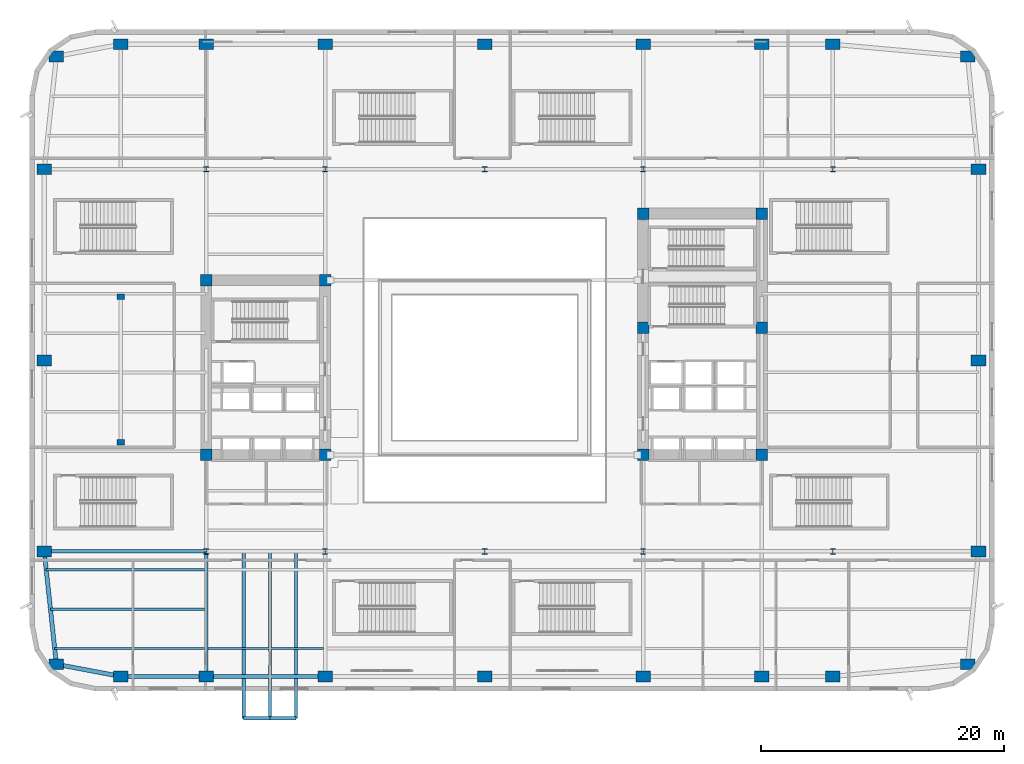
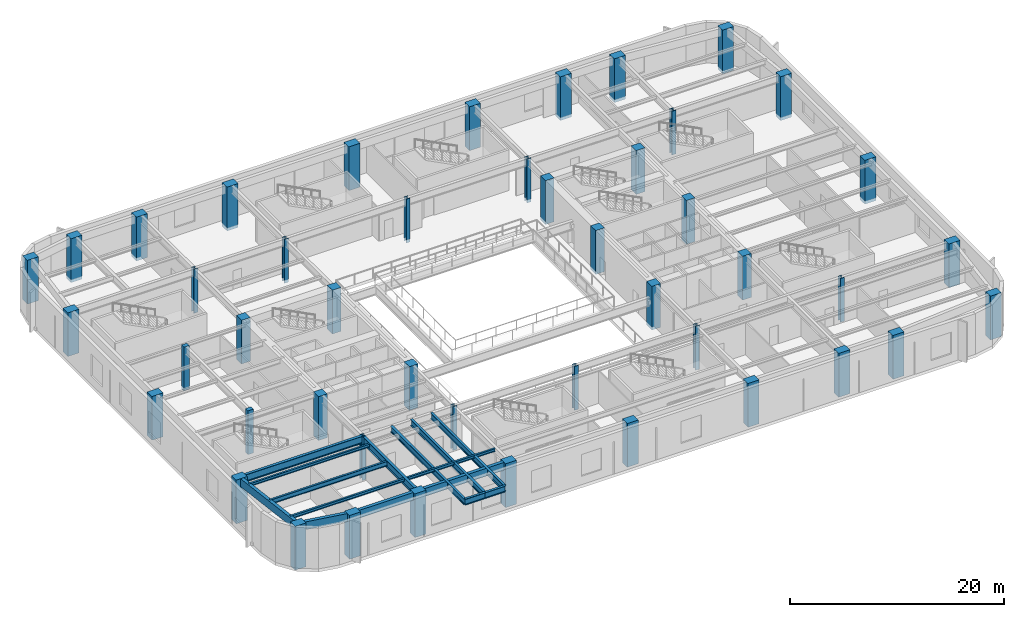
# One storey, part 1 of 24: 46 columns, 15 beams.
"""IFC4 building model written with IfcOpenShell, lengths in metres."""

from ifc_helpers import new_model, si_unit, direction, frame, origin, origin_2d, place, context, subcontext, project, spatial, rectangle, hollow_rectangle, i_section, extrude, material, material_profile, profile_set, type_object, element, save


model = new_model("IFC4")

# Units and contexts
model_context = context("Model", 3, precision=1e-05, world=origin(), true_north=direction((0.0, 1.0)))
body_context = subcontext(model_context, "Body", "Model", "MODEL_VIEW")
ifc_project = project(units=[si_unit("LENGTHUNIT", "METRE"), si_unit("AREAUNIT", "SQUARE_METRE"), si_unit("VOLUMEUNIT", "CUBIC_METRE"), si_unit("PLANEANGLEUNIT", "RADIAN"), si_unit("MASSUNIT", "GRAM", prefix="KILO")], contexts=[model_context])

# Site, building, storey
site_placement = place(None, origin())
site = spatial("IfcSite", under=ifc_project, at=site_placement, CompositionType="ELEMENT")
building_placement = place(site_placement, origin())
building = spatial("IfcBuilding", under=site, at=building_placement, Name="Kolvaren Arena Tower", CompositionType="ELEMENT")
storey_placement = place(building_placement, frame((0.0, 0.0, 23.0)))
storey = spatial("IfcBuildingStorey", under=building, at=storey_placement, Name="L04", CompositionType="ELEMENT", Elevation=23.0)

# Columns
ifc_material_1 = material(Name="Precast concrete C70/85", Category="concrete")
ifc_material_profile_1 = material_profile(ifc_material_1, rectangle(XDim=1.199951171875, YDim=0.89990234375, at=origin_2d()), Name="RC-1200x900")
ifc_profile_set_1 = profile_set([ifc_material_profile_1], Name="Precast concrete C70/85")
column_type_1 = type_object("IfcColumnType", Name="EXCOL-Z1", PredefinedType="COLUMN", material=ifc_profile_set_1)
for number, where, z_axis, x_axis, name in (
    (1, (2.199951171875, 2.199951171875, -0.35009765625), (0.0, 0.0, 1.0), (1.0, 0.0, 0.0), "Podium Perimeter Column PS-C0 (L04)"),
    (2, (7.5, 1.199951171875, -0.35009765625), (0.0, 0.0, 1.0), (1.0, 0.0, 0.0), "Podium Perimeter Column PS-01 (L04)"),
    (3, (14.550048828125, 1.199951171875, -0.35009765625), (0.0, 0.0, 1.0), (1.0, 0.0, 0.0), "Podium Perimeter Column PS-02 (L04)"),
    (4, (24.35009765625, 1.199951171875, -0.35009765625), (0.0, 0.0, 1.0), (1.0, 0.0, 0.0), "Podium Perimeter Column PS-03 (L04)"),
    (5, (37.5, 1.199951171875, -0.35009765625), (0.0, 0.0, 1.0), (1.0, 0.0, 0.0), "Podium Perimeter Column PS-04 (L04)"),
    (6, (50.550048828125, 1.199951171875, -0.35009765625), (0.0, 0.0, 1.0), (1.0, 0.0, 0.0), "Podium Perimeter Column PS-05 (L04)"),
    (7, (60.35009765625, 1.199951171875, -0.35009765625), (0.0, 0.0, 1.0), (1.0, 0.0, 0.0), "Podium Perimeter Column PS-06 (L04)"),
    (8, (66.199951171875, 1.199951171875, -0.35009765625), (0.0, 0.0, 1.0), (1.0, 0.0, 0.0), "Podium Perimeter Column PS-07 (L04)"),
    (9, (77.300048828125, 2.199951171875, -0.35009765625), (0.0, 0.0, 1.0), (1.0, 0.0, 0.0), "Podium Perimeter Column PE-C0 (L04)"),
    (10, (78.199951171875, 11.5, -0.35009765625), (0.0, 0.0, 1.0), (1.0, 0.0, 0.0), "Podium Perimeter Column PE-01 (L04)"),
    (11, (78.199951171875, 27.25, -0.35009765625), (0.0, 0.0, 1.0), (1.0, 0.0, 0.0), "Podium Perimeter Column PE-02 (L04)"),
    (12, (78.199951171875, 43.0, -0.35009765625), (0.0, 0.0, 1.0), (1.0, 0.0, 0.0), "Podium Perimeter Column PE-03 (L04)"),
    (13, (77.300048828125, 52.300048828125, -0.35009765625), (0.0, 0.0, 1.0), (1.0, 0.0, 0.0), "Podium Perimeter Column PN-C1 (L04)"),
    (14, (66.199951171875, 53.300048828125, -0.35009765625), (0.0, 0.0, 1.0), (1.0, 0.0, 0.0), "Podium Perimeter Column PN-07 (L04)"),
    (15, (60.35009765625, 53.300048828125, -0.35009765625), (0.0, 0.0, 1.0), (1.0, 0.0, 0.0), "Podium Perimeter Column PN-06 (L04)"),
    (16, (50.550048828125, 53.300048828125, -0.35009765625), (0.0, 0.0, 1.0), (1.0, 0.0, 0.0), "Podium Perimeter Column PN-05 (L04)"),
    (17, (37.5, 53.300048828125, -0.35009765625), (0.0, 0.0, 1.0), (1.0, 0.0, 0.0), "Podium Perimeter Column PN-04 (L04)"),
    (18, (24.35009765625, 53.300048828125, -0.35009765625), (0.0, 0.0, 1.0), (1.0, 0.0, 0.0), "Podium Perimeter Column PN-03 (L04)"),
    (19, (14.550048828125, 53.300048828125, -0.35009765625), (0.0, 0.0, 1.0), (1.0, 0.0, 0.0), "Podium Perimeter Column PN-02 (L04)"),
    (20, (7.5, 53.300048828125, -0.35009765625), (0.0, 0.0, 1.0), (1.0, 0.0, 0.0), "Podium Perimeter Column PN-01 (L04)"),
    (21, (2.199951171875, 52.300048828125, -0.35009765625), (0.0, 0.0, 1.0), (1.0, 0.0, 0.0), "Podium Perimeter Column PN-C0 (L04)"),
    (22, (1.199951171875, 43.0, -0.35009765625), (0.0, 0.0, 1.0), (1.0, 0.0, 0.0), "Podium Perimeter Column PW-03 (L04)"),
    (23, (1.199951171875, 27.25, -0.35009765625), (0.0, 0.0, 1.0), (1.0, 0.0, 0.0), "Podium Perimeter Column PW-02 (L04)"),
    (24, (1.199951171875, 11.5, -0.35009765625), (0.0, 0.0, 1.0), (1.0, 0.0, 0.0), "Podium Perimeter Column PW-01 (L04)"),
):
    element("IfcColumn", number, at=place(storey_placement, frame(where, z_axis=z_axis, x_axis=x_axis)), inside=storey, type_object=column_type_1, Name=name, PredefinedType="COLUMN", context=body_context, shape_type="SweptSolid", body=[
        extrude(rectangle(XDim=1.199951171875, YDim=0.89990234375, at=origin_2d()), origin(), (0.0, 0.0, 1.0), 5.0),
    ])
ifc_material_2 = material(Name="Concrete 60 MPa", Category="concrete")
ifc_material_profile_2 = material_profile(ifc_material_2, rectangle(XDim=0.949951171875, YDim=0.949951171875, at=origin_2d()), Name="RC-950x950")
ifc_profile_set_2 = profile_set([ifc_material_profile_2], Name="Concrete 60 MPa")
column_type_2 = type_object("IfcColumnType", Name="PCOL-B1", PredefinedType="COLUMN", material=ifc_profile_set_2)
for number, where, z_axis, x_axis, name in (
    (25, (14.550048828125, 19.449951171875, -0.35009765625), (0.0, 0.0, 1.0), (1.0, 0.0, 0.0), "Core Boundary Column WC-SW (L04)"),
    (26, (24.35009765625, 19.449951171875, -0.35009765625), (0.0, 0.0, 1.0), (1.0, 0.0, 0.0), "Core Boundary Column WC-SE (L04)"),
    (27, (14.550048828125, 33.85009765625, -0.35009765625), (0.0, 0.0, 1.0), (1.0, 0.0, 0.0), "Core Boundary Column WC-NW (L04)"),
    (28, (24.35009765625, 33.85009765625, -0.35009765625), (0.0, 0.0, 1.0), (1.0, 0.0, 0.0), "Core Boundary Column WC-NE (L04)"),
    (29, (50.550048828125, 19.449951171875, -0.35009765625), (0.0, 0.0, 1.0), (1.0, 0.0, 0.0), "Core Boundary Column EC-SW (L04)"),
    (30, (60.35009765625, 19.449951171875, -0.35009765625), (0.0, 0.0, 1.0), (1.0, 0.0, 0.0), "Core Boundary Column EC-SE (L04)"),
    (31, (50.550048828125, 29.949951171875, -0.35009765625), (0.0, 0.0, 1.0), (1.0, 0.0, 0.0), "Core Boundary Column EC-MW (L04)"),
    (32, (60.35009765625, 29.949951171875, -0.35009765625), (0.0, 0.0, 1.0), (1.0, 0.0, 0.0), "Core Boundary Column EC-ME (L04)"),
    (33, (50.550048828125, 39.35009765625, -0.35009765625), (0.0, 0.0, 1.0), (1.0, 0.0, 0.0), "Core Boundary Column EC-NW (L04)"),
    (34, (60.35009765625, 39.35009765625, -0.35009765625), (0.0, 0.0, 1.0), (1.0, 0.0, 0.0), "Core Boundary Column EC-NE (L04)"),
):
    element("IfcColumn", number, at=place(storey_placement, frame(where, z_axis=z_axis, x_axis=x_axis)), inside=storey, type_object=column_type_2, Name=name, PredefinedType="COLUMN", context=body_context, shape_type="SweptSolid", body=[
        extrude(rectangle(XDim=0.949951171875, YDim=0.949951171875, at=origin_2d()), origin(), (0.0, 0.0, 1.0), 5.0),
    ])
ifc_material_3 = material(Name="Precast concrete C50/60", Category="concrete")
ifc_material_profile_3 = material_profile(ifc_material_3, rectangle(XDim=0.60009765625, YDim=0.449951171875, at=origin_2d()), Name="RC-600x450")
ifc_profile_set_3 = profile_set([ifc_material_profile_3], Name="Precast concrete C50/60")
column_type_3 = type_object("IfcColumnType", Name="PIL-01", PredefinedType="PILASTER", material=ifc_profile_set_3)
for number, where, z_axis, x_axis, name in (
    (35, (7.5, 20.5, -0.35009765625), (0.0, 0.0, 1.0), (1.0, 0.0, 0.0), "Concourse Structural Pilaster 1 (L04)"),
    (36, (7.5, 32.5, -0.35009765625), (0.0, 0.0, 1.0), (1.0, 0.0, 0.0), "Concourse Structural Pilaster 2 (L04)"),
):
    element("IfcColumn", number, at=place(storey_placement, frame(where, z_axis=z_axis, x_axis=x_axis)), inside=storey, type_object=column_type_3, Name=name, PredefinedType="PILASTER", context=body_context, shape_type="SweptSolid", body=[
        extrude(rectangle(XDim=0.60009765625, YDim=0.449951171875, at=origin_2d()), origin(), (0.0, 0.0, 1.0), 5.0),
    ])
ifc_material_4 = material(Name="Steel ASTM A913 Grade 65", Category="steel")
ifc_material_profile_4 = material_profile(ifc_material_4, i_section(OverallWidth=0.424072265625, OverallDepth=0.47412109375, WebThickness=0.047607421875, FlangeThickness=0.076904296875, FilletRadius=0.02001953125, at=origin_2d()), Name="W360x634")
ifc_profile_set_4 = profile_set([ifc_material_profile_4], Name="Steel ASTM A913 Grade 65")
column_type_4 = type_object("IfcColumnType", Name="SCOL-Z1", PredefinedType="COLUMN", material=ifc_profile_set_4)
for number, where, z_axis, x_axis, name in (
    (37, (14.550048828125, 11.5, -0.35009765625), (0.0, 0.0, 1.0), (1.0, 0.0, 0.0), "Concourse Structural Column PB-S1 (L04)"),
    (38, (24.35009765625, 11.5, -0.35009765625), (0.0, 0.0, 1.0), (1.0, 0.0, 0.0), "Concourse Structural Column PB-S2 (L04)"),
    (39, (37.5, 11.5, -0.35009765625), (0.0, 0.0, 1.0), (1.0, 0.0, 0.0), "Concourse Structural Column PB-S3 (L04)"),
    (40, (50.550048828125, 11.5, -0.35009765625), (0.0, 0.0, 1.0), (1.0, 0.0, 0.0), "Concourse Structural Column PB-S4 (L04)"),
    (41, (66.199951171875, 11.5, -0.35009765625), (0.0, 0.0, 1.0), (1.0, 0.0, 0.0), "Concourse Structural Column PB-S5 (L04)"),
    (42, (14.550048828125, 43.0, -0.35009765625), (0.0, 0.0, 1.0), (1.0, 0.0, 0.0), "Concourse Structural Column PB-N1 (L04)"),
    (43, (24.35009765625, 43.0, -0.35009765625), (0.0, 0.0, 1.0), (1.0, 0.0, 0.0), "Concourse Structural Column PB-N2 (L04)"),
    (44, (37.5, 43.0, -0.35009765625), (0.0, 0.0, 1.0), (1.0, 0.0, 0.0), "Concourse Structural Column PB-N3 (L04)"),
    (45, (50.550048828125, 43.0, -0.35009765625), (0.0, 0.0, 1.0), (1.0, 0.0, 0.0), "Concourse Structural Column PB-N4 (L04)"),
    (46, (66.199951171875, 43.0, -0.35009765625), (0.0, 0.0, 1.0), (1.0, 0.0, 0.0), "Concourse Structural Column PB-N5 (L04)"),
):
    element("IfcColumn", number, at=place(storey_placement, frame(where, z_axis=z_axis, x_axis=x_axis)), inside=storey, type_object=column_type_4, Name=name, PredefinedType="COLUMN", context=body_context, shape_type="SweptSolid", body=[
        extrude(i_section(OverallWidth=0.424072265625, OverallDepth=0.47412109375, WebThickness=0.047607421875, FlangeThickness=0.076904296875, FilletRadius=0.02001953125, at=origin_2d()), origin(), (0.0, 0.0, 1.0), 5.0),
    ])

# Beams
ifc_material_5 = material(Name="Steel CSA G40.21 350W", Category="steel")
ifc_material_profile_5 = material_profile(ifc_material_5, i_section(OverallWidth=0.2119140625, OverallDepth=0.54296875, WebThickness=0.01318359375, FlangeThickness=0.0244140625, FilletRadius=0.013916015625, at=origin_2d()), Name="W530x150")
ifc_profile_set_5 = profile_set([ifc_material_profile_5], Name="Steel CSA G40.21 350W")
beam_type_1 = type_object("IfcBeamType", Name="BEAM-F1", PredefinedType="BEAM", material=ifc_profile_set_5)
beam_1_placement = place(storey_placement, frame((1.710693359375, 6.75, 4.37841796875), z_axis=(1.0, 0.0, 0.0), x_axis=(0.0, 1.0, 0.0)))
element("IfcBeam", 47, at=beam_1_placement, inside=storey, type_object=beam_type_1, Name="Composite Floor Beam (L04)", PredefinedType="BEAM", context=body_context, shape_type="SweptSolid", body=[
    extrude(i_section(OverallWidth=0.2119140625, OverallDepth=0.54296875, WebThickness=0.01318359375, FlangeThickness=0.0244140625, FilletRadius=0.013916015625, at=origin_2d()), origin(), (0.0, 0.0, 1.0), 12.693359375),
])
ifc_material_profile_6 = material_profile(ifc_material_5, i_section(OverallWidth=0.2919921875, OverallDepth=0.85498046875, WebThickness=0.02099609375, FlangeThickness=0.03564453125, FilletRadius=0.01806640625, at=origin_2d()), Name="W840x299")
ifc_profile_set_6 = profile_set([ifc_material_profile_6], Name="Steel CSA G40.21 350W")
beam_type_2 = type_object("IfcBeamType", Name="GIRD-P1", PredefinedType="BEAM", material=ifc_profile_set_6)
beam_2_placement = place(storey_placement, frame((1.199951171875, 11.5, 4.222412109375), z_axis=(1.0, 0.0, 0.0), x_axis=(0.0, 1.0, 0.0)))
element("IfcBeam", 48, at=beam_2_placement, inside=storey, type_object=beam_type_2, Name="Primary Floor Girder (L04)", PredefinedType="BEAM", context=body_context, shape_type="SweptSolid", body=[
    extrude(i_section(OverallWidth=0.2919921875, OverallDepth=0.85498046875, WebThickness=0.02099609375, FlangeThickness=0.03564453125, FilletRadius=0.01806640625, at=origin_2d()), origin(), (0.0, 0.0, 1.0), 13.35009765625),
])
beam_3_placement = place(storey_placement, frame((14.550048828125, 1.199951171875, 4.222412109375), z_axis=(0.0, 1.0, 0.0), x_axis=(-1.0, 0.0, 0.0)))
element("IfcBeam", 49, at=beam_3_placement, inside=storey, type_object=beam_type_2, Name="Primary Floor Girder (L04)", PredefinedType="BEAM", context=body_context, shape_type="SweptSolid", body=[
    extrude(i_section(OverallWidth=0.2919921875, OverallDepth=0.85498046875, WebThickness=0.02099609375, FlangeThickness=0.03564453125, FilletRadius=0.01806640625, at=origin_2d()), origin(), (0.0, 0.0, 1.0), 10.300048828125),
])
ifc_material_profile_7 = material_profile(ifc_material_5, i_section(OverallWidth=0.2548828125, OverallDepth=0.695068359375, WebThickness=0.01708984375, FlangeThickness=0.02978515625, FilletRadius=0.01611328125, at=origin_2d()), Name="W690x217")
ifc_profile_set_7 = profile_set([ifc_material_profile_7], Name="Steel CSA G40.21 350W")
beam_type_3 = type_object("IfcBeamType", Name="GIRD-T2", PredefinedType="BEAM", material=ifc_profile_set_7)
for number, where, z_axis, x_axis, name in (
    (50, (17.639892578125, 11.5, 4.302490234375), (0.0, -1.0, 0.0), (1.0, 0.0, 0.0), "Terrace Cantilever Support Girder (L05)"),
    (51, (19.800048828125, 11.5, 4.302490234375), (0.0, -1.0, 0.0), (1.0, 0.0, 0.0), "Terrace Cantilever Support Girder (L05)"),
    (52, (21.9599609375, 11.5, 4.302490234375), (0.0, -1.0, 0.0), (1.0, 0.0, 0.0), "Terrace Cantilever Support Girder (L05)"),
):
    element("IfcBeam", number, at=place(storey_placement, frame(where, z_axis=z_axis, x_axis=x_axis)), inside=storey, type_object=beam_type_3, Name=name, PredefinedType="BEAM", context=body_context, shape_type="SweptSolid", body=[
        extrude(i_section(OverallWidth=0.2548828125, OverallDepth=0.695068359375, WebThickness=0.01708984375, FlangeThickness=0.02978515625, FilletRadius=0.01611328125, at=origin_2d()), origin(), (0.0, 0.0, 1.0), 13.75),
    ])
beam_4_placement = place(storey_placement, frame((17.639892578125, -2.25, 4.302490234375), z_axis=(1.0, 0.0, 0.0), x_axis=(0.0, 1.0, 0.0)))
element("IfcBeam", 53, at=beam_4_placement, inside=storey, type_object=beam_type_3, Name="Terrace Edge Fascia Beam (L05)", PredefinedType="BEAM", context=body_context, shape_type="SweptSolid", body=[
    extrude(i_section(OverallWidth=0.2548828125, OverallDepth=0.695068359375, WebThickness=0.01708984375, FlangeThickness=0.02978515625, FilletRadius=0.01611328125, at=origin_2d()), origin(), (0.0, 0.0, 1.0), 2.16015625),
])
beam_5_placement = place(storey_placement, frame((19.800048828125, -2.25, 4.302490234375), z_axis=(1.0, 0.0, 0.0), x_axis=(0.0, 1.0, 0.0)))
element("IfcBeam", 54, at=beam_5_placement, inside=storey, type_object=beam_type_3, Name="Terrace Edge Fascia Beam (L05)", PredefinedType="BEAM", context=body_context, shape_type="SweptSolid", body=[
    extrude(i_section(OverallWidth=0.2548828125, OverallDepth=0.695068359375, WebThickness=0.01708984375, FlangeThickness=0.02978515625, FilletRadius=0.01611328125, at=origin_2d()), origin(), (0.0, 0.0, 1.0), 2.159912109375),
])
ifc_material_profile_8 = material_profile(ifc_material_5, i_section(OverallWidth=0.202880859375, OverallDepth=0.346923828125, WebThickness=0.0078125, FlangeThickness=0.013427734375, FilletRadius=0.010986328125, at=origin_2d()), Name="W360x64")
ifc_profile_set_8 = profile_set([ifc_material_profile_8], Name="Steel CSA G40.21 350W")
beam_type_4 = type_object("IfcBeamType", Name="JOIST-01", PredefinedType="JOIST", material=ifc_profile_set_8)
beam_6_placement = place(storey_placement, frame((2.060302734375, 3.5, 4.4765625), z_axis=(1.0, 0.0, 0.0), x_axis=(0.0, 1.0, 0.0)))
element("IfcBeam", 55, at=beam_6_placement, inside=storey, type_object=beam_type_4, Name="Composite Floor Joist (L04)", PredefinedType="JOIST", context=body_context, shape_type="SweptSolid", body=[
    extrude(i_section(OverallWidth=0.202880859375, OverallDepth=0.346923828125, WebThickness=0.0078125, FlangeThickness=0.013427734375, FilletRadius=0.010986328125, at=origin_2d()), origin(), (0.0, 0.0, 1.0), 12.34375),
])
beam_7_placement = place(storey_placement, frame((14.696044921875, 3.5, 4.4765625), z_axis=(1.0, 0.0, 0.0), x_axis=(0.0, 1.0, 0.0)))
element("IfcBeam", 56, at=beam_7_placement, inside=storey, type_object=beam_type_4, Name="Composite Floor Joist (L04)", PredefinedType="JOIST", context=body_context, shape_type="SweptSolid", body=[
    extrude(i_section(OverallWidth=0.202880859375, OverallDepth=0.346923828125, WebThickness=0.0078125, FlangeThickness=0.013427734375, FilletRadius=0.010986328125, at=origin_2d()), origin(), (0.0, 0.0, 1.0), 9.508056640625),
])
beam_8_placement = place(storey_placement, frame((1.361328125, 10.0, 4.4765625), z_axis=(1.0, 0.0, 0.0), x_axis=(0.0, 1.0, 0.0)))
element("IfcBeam", 57, at=beam_8_placement, inside=storey, type_object=beam_type_4, Name="Composite Floor Joist (L04)", PredefinedType="JOIST", context=body_context, shape_type="SweptSolid", body=[
    extrude(i_section(OverallWidth=0.202880859375, OverallDepth=0.346923828125, WebThickness=0.0078125, FlangeThickness=0.013427734375, FilletRadius=0.010986328125, at=origin_2d()), origin(), (0.0, 0.0, 1.0), 13.042724609375),
])
ifc_material_6 = material(Name="Steel CSA G40.21 350WT", Category="steel")
ifc_material_profile_9 = material_profile(ifc_material_6, hollow_rectangle(XDim=0.35009765625, YDim=0.89990234375, WallThickness=0.02001953125, at=origin_2d()), Name="HSS 900x350x20")
ifc_profile_set_9 = profile_set([ifc_material_profile_9], Name="Steel CSA G40.21 350WT")
beam_type_5 = type_object("IfcBeamType", Name="SPAND-01", PredefinedType="SPANDREL", material=ifc_profile_set_9)
beam_9_placement = place(storey_placement, frame((2.199951171875, 2.199951171875, 4.199951171875), z_axis=(0.982661964955, -0.185406209796, 0.0), x_axis=(0.185406209796, 0.982661964955, 0.0)))
element("IfcBeam", 58, at=beam_9_placement, inside=storey, type_object=beam_type_5, Name="Perimeter Spandrel Beam (L04)", PredefinedType="SPANDREL", context=body_context, shape_type="SweptSolid", body=[
    extrude(hollow_rectangle(XDim=0.35009765625, YDim=0.89990234375, WallThickness=0.02001953125, at=origin_2d()), origin(), (0.0, 0.0, 1.0), 5.3935546875),
])
beam_10_placement = place(storey_placement, frame((7.5, 1.199951171875, 4.199951171875), z_axis=(1.0, 0.0, 0.0), x_axis=(0.0, 1.0, 0.0)))
element("IfcBeam", 59, at=beam_10_placement, inside=storey, type_object=beam_type_5, Name="Perimeter Spandrel Beam (L04)", PredefinedType="SPANDREL", context=body_context, shape_type="SweptSolid", body=[
    extrude(hollow_rectangle(XDim=0.35009765625, YDim=0.89990234375, WallThickness=0.02001953125, at=origin_2d()), origin(), (0.0, 0.0, 1.0), 7.050048828125),
])
beam_11_placement = place(storey_placement, frame((14.550048828125, 1.199951171875, 4.199951171875), z_axis=(1.0, 0.0, 0.0), x_axis=(0.0, 1.0, 0.0)))
element("IfcBeam", 60, at=beam_11_placement, inside=storey, type_object=beam_type_5, Name="Perimeter Spandrel Beam (L04)", PredefinedType="SPANDREL", context=body_context, shape_type="SweptSolid", body=[
    extrude(hollow_rectangle(XDim=0.35009765625, YDim=0.89990234375, WallThickness=0.02001953125, at=origin_2d()), origin(), (0.0, 0.0, 1.0), 9.800048828125),
])
beam_12_placement = place(storey_placement, frame((1.199951171875, 11.5, 4.199951171875), z_axis=(0.106910051219, -0.994268696555, 0.0), x_axis=(0.994268696555, 0.106910051219, 0.0)))
element("IfcBeam", 61, at=beam_12_placement, inside=storey, type_object=beam_type_5, Name="Perimeter Spandrel Beam (L04)", PredefinedType="SPANDREL", context=body_context, shape_type="SweptSolid", body=[
    extrude(hollow_rectangle(XDim=0.35009765625, YDim=0.89990234375, WallThickness=0.02001953125, at=origin_2d()), origin(), (0.0, 0.0, 1.0), 9.353759765625),
])

save(model, "model.ifc")
